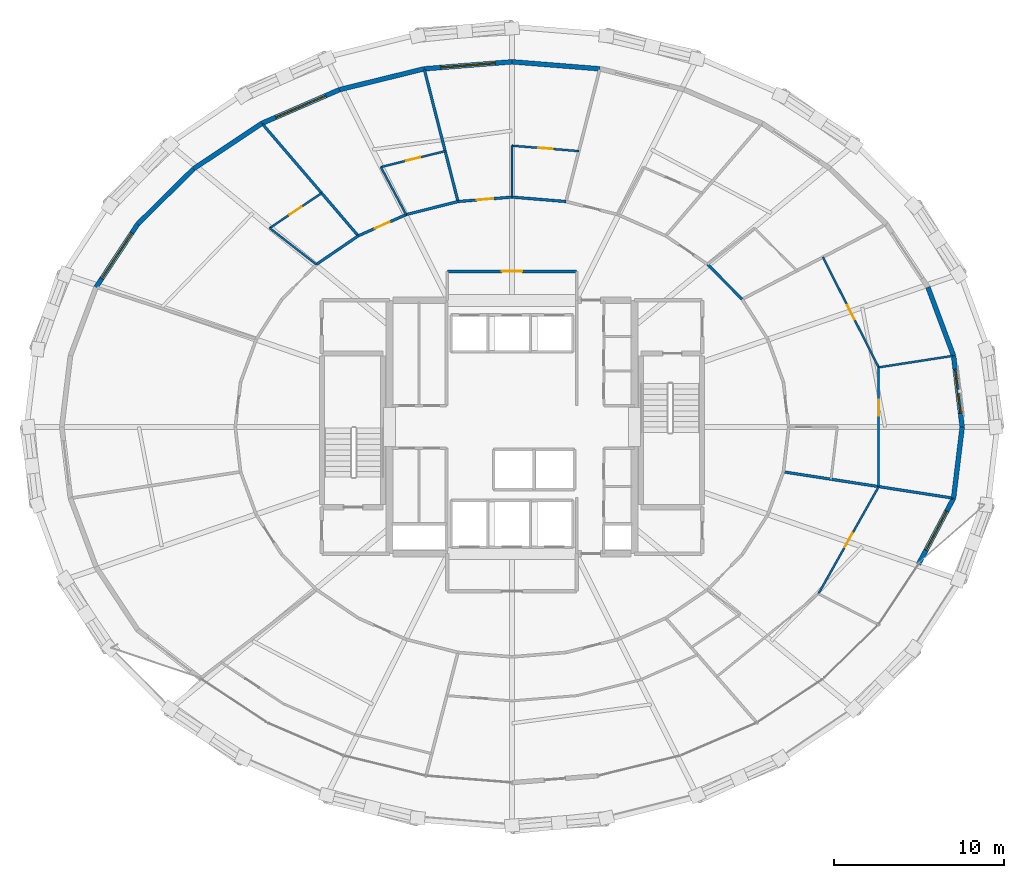
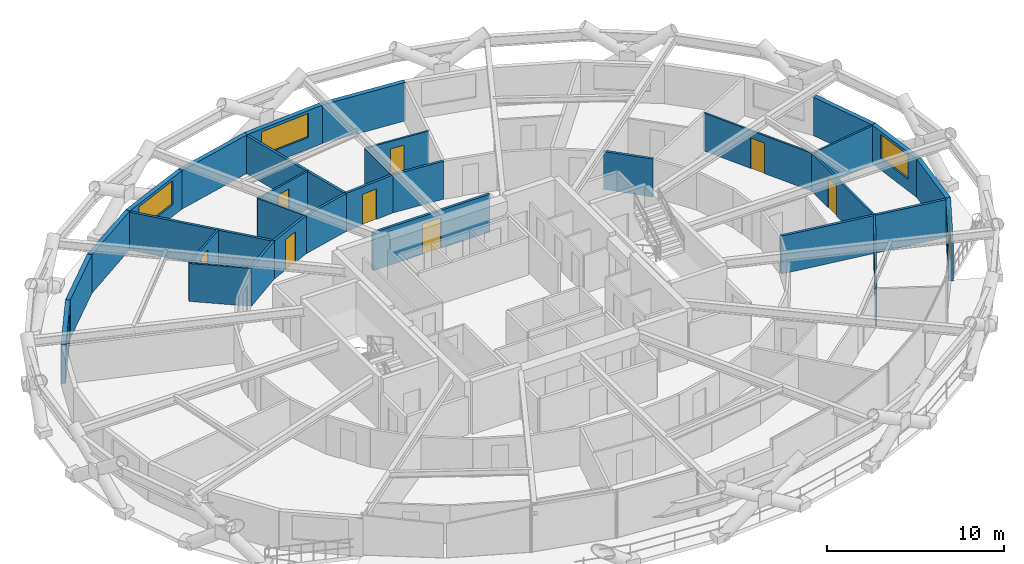
# One storey, part 16 of 19: 31 walls, 9 doors, 5 windows, 14 openings.
"""IFC4 building model written with IfcOpenShell, lengths in metres."""

from ifc_helpers import new_model, si_unit, direction, frame, frame_2d, origin, place, context, subcontext, project, spatial, rectangle, extrude, material, layer, layer_set, type_object, element, fill, save


model = new_model("IFC4")

# Units and contexts
model_context = context("Model", 3, precision=1e-05, world=origin(), true_north=direction((0.0, 1.0)))
body_context = subcontext(model_context, "Body", "Model", "MODEL_VIEW")
ifc_project = project(units=[si_unit("LENGTHUNIT", "METRE"), si_unit("AREAUNIT", "SQUARE_METRE"), si_unit("VOLUMEUNIT", "CUBIC_METRE"), si_unit("PLANEANGLEUNIT", "RADIAN"), si_unit("MASSUNIT", "GRAM", prefix="KILO")], contexts=[model_context])

# Site, building, storey
site_placement = place(None, origin())
site = spatial("IfcSite", under=ifc_project, at=site_placement, CompositionType="ELEMENT")
building_placement = place(site_placement, origin())
building = spatial("IfcBuilding", under=site, at=building_placement, Name="Veldorina Hangang Commons", CompositionType="ELEMENT")
storey_placement = place(building_placement, frame((0.0, 0.0, 52.0)))
storey = spatial("IfcBuildingStorey", under=building, at=storey_placement, Name="L12", CompositionType="ELEMENT", Elevation=52.0)

# Wall, opening, window
ifc_material_1 = material(Name="Stone Roman Travertine", Category="masonry")
ifc_layer_1 = layer(ifc_material_1, 0.280029296875)
ifc_layer_set_1 = layer_set([ifc_layer_1], Name="Stone Roman Travertine")
wall_type_1 = type_object("IfcWallType", Name="EW-TRAV-280", PredefinedType="STANDARD", material=ifc_layer_set_1)
wall_1_placement = place(storey_placement, frame((58.47509765625, 24.0, 0.0), z_axis=(0.0, 0.0, 1.0), x_axis=(-0.120495484084, 0.992713875352, 0.0)))
wall_1 = element("IfcWall", 1, at=wall_1_placement, inside=storey, type_object=wall_type_1, Name="L12 travertine facade wall 00", PredefinedType="STANDARD", context=body_context, shape_type="SweptSolid", body=[
    extrude(rectangle(XDim=4.220458984375, YDim=0.280029296875, at=frame_2d((2.1103515625, 0.0))), origin(), (0.0, 0.0, 1.0), 2.64990234375),
])
opening_1_placement = place(wall_1_placement, frame((0.810302734375, 0.0, 0.800048828125)))
opening_1 = element("IfcOpeningElement", 2, at=opening_1_placement, cuts=wall_1, Name="Opening W-02", PredefinedType="OPENING", context=body_context, shape_type="SweptSolid", body=[
    extrude(rectangle(XDim=2.60009765625, YDim=1.64990234375, at=frame_2d((1.300048828125, 0.824951171875))), frame((0.0, 0.14990234375, 0.0), z_axis=(0.0, -1.0, 0.0), x_axis=(1.0, 0.0, 0.0)), (0.0, 0.0, 1.0), 0.300048828125),
])
ifc_material_2 = material(Name="Glass Low-E Triple IGU", Category="glass")
window_type_1 = type_object("IfcWindowType", Name="WIN-TWR-2600", PartitioningType="SINGLE_PANEL", PredefinedType="WINDOW", material=ifc_material_2)
window_1_placement = place(opening_1_placement, origin())
window_1 = element("IfcWindow", 3, at=window_1_placement, inside=storey, type_object=window_type_1, Name="L12 facade window 00", OverallHeight=1.64990234375, OverallWidth=2.60009765625, PartitioningType="SINGLE_PANEL", PredefinedType="WINDOW", context=body_context, shape_type="SweptSolid", body=[
    extrude(rectangle(XDim=2.60009765625, YDim=1.64990234375, at=frame_2d((1.300048828125, 0.824951171875))), frame((0.0, 0.030029296875, 0.0), z_axis=(0.0, -1.0, 0.0), x_axis=(1.0, 0.0, 0.0)), (0.0, 0.0, 1.0), 0.06005859375),
])
fill(opening_1, window_1)

# Walls
wall_2_placement = place(storey_placement, frame((57.966552734375, 28.189697265625, 0.0), z_axis=(0.0, 0.0, 1.0), x_axis=(-0.350283521278, 0.936643718135, 0.0)))
element("IfcWall", 4, at=wall_2_placement, inside=storey, type_object=wall_type_1, Name="L12 travertine facade wall 01", PredefinedType="STANDARD", context=body_context, shape_type="SweptSolid", body=[
    extrude(rectangle(XDim=4.301025390625, YDim=0.280029296875, at=frame_2d((2.150390625, 0.0))), origin(), (0.0, 0.0, 1.0), 2.64990234375),
])
wall_3_placement = place(storey_placement, frame((37.1650390625, 45.0625, 0.0), z_axis=(0.0, 0.0, 1.0), x_axis=(-0.996824560501, 0.079629112651, 0.0)))
element("IfcWall", 5, at=wall_3_placement, inside=storey, type_object=wall_type_1, Name="L12 travertine facade wall 07", PredefinedType="STANDARD", context=body_context, shape_type="SweptSolid", body=[
    extrude(rectangle(XDim=5.181396484375, YDim=0.280029296875, at=frame_2d((2.5908203125, 0.0))), origin(), (0.0, 0.0, 1.0), 2.64990234375),
])

# Wall, opening, window
wall_4_placement = place(storey_placement, frame((32.0, 45.47509765625, 0.0), z_axis=(0.0, 0.0, 1.0), x_axis=(-0.996824560501, -0.079629112651, 0.0)))
wall_4 = element("IfcWall", 6, at=wall_4_placement, inside=storey, type_object=wall_type_1, Name="L12 travertine facade wall 08", PredefinedType="STANDARD", context=body_context, shape_type="SweptSolid", body=[
    extrude(rectangle(XDim=5.181396484375, YDim=0.280029296875, at=frame_2d((2.5908203125, 0.0))), origin(), (0.0, 0.0, 1.0), 2.64990234375),
])
opening_2_placement = place(wall_4_placement, frame((0.99072265625, 0.0, 0.800048828125)))
opening_2 = element("IfcOpeningElement", 7, at=opening_2_placement, cuts=wall_4, Name="Opening W-01", PredefinedType="OPENING", context=body_context, shape_type="SweptSolid", body=[
    extrude(rectangle(XDim=3.199951171875, YDim=1.64990234375, at=frame_2d((1.60009765625, 0.824951171875))), frame((0.0, 0.14990234375, 0.0), z_axis=(0.0, -1.0, 0.0), x_axis=(1.0, 0.0, 0.0)), (0.0, 0.0, 1.0), 0.300048828125),
])
window_type_2 = type_object("IfcWindowType", Name="WIN-TWR-3200", PartitioningType="SINGLE_PANEL", PredefinedType="WINDOW", material=ifc_material_2)
window_2_placement = place(opening_2_placement, origin())
window_2 = element("IfcWindow", 8, at=window_2_placement, inside=storey, type_object=window_type_2, Name="L12 facade window 08", OverallHeight=1.64990234375, OverallWidth=3.199951171875, PartitioningType="SINGLE_PANEL", PredefinedType="WINDOW", context=body_context, shape_type="SweptSolid", body=[
    extrude(rectangle(XDim=3.199951171875, YDim=1.64990234375, at=frame_2d((1.60009765625, 0.824951171875))), frame((0.0, 0.030029296875, 0.0), z_axis=(0.0, -1.0, 0.0), x_axis=(1.0, 0.0, 0.0)), (0.0, 0.0, 1.0), 0.06005859375),
])
fill(opening_2, window_2)

# Wall
wall_5_placement = place(storey_placement, frame((26.8349609375, 45.0625, 0.0), z_axis=(0.0, 0.0, 1.0), x_axis=(-0.971042653892, -0.238906183096, 0.0)))
element("IfcWall", 9, at=wall_5_placement, inside=storey, type_object=wall_type_1, Name="L12 travertine facade wall 09", PredefinedType="STANDARD", context=body_context, shape_type="SweptSolid", body=[
    extrude(rectangle(XDim=5.11474609375, YDim=0.280029296875, at=frame_2d((2.557373046875, 0.0))), origin(), (0.0, 0.0, 1.0), 2.64990234375),
])

# Wall, opening, window
wall_6_placement = place(storey_placement, frame((21.868408203125, 43.840576171875, 0.0), z_axis=(0.0, 0.0, 1.0), x_axis=(-0.917468716398, -0.397807936612, 0.0)))
wall_6 = element("IfcWall", 10, at=wall_6_placement, inside=storey, type_object=wall_type_1, Name="L12 travertine facade wall 10", PredefinedType="STANDARD", context=body_context, shape_type="SweptSolid", body=[
    extrude(rectangle(XDim=4.98876953125, YDim=0.280029296875, at=frame_2d((2.494384765625, 0.0))), origin(), (0.0, 0.0, 1.0), 2.64990234375),
])
opening_3_placement = place(wall_6_placement, frame((0.894287109375, 0.0, 0.800048828125)))
opening_3 = element("IfcOpeningElement", 11, at=opening_3_placement, cuts=wall_6, Name="Opening W-01", PredefinedType="OPENING", context=body_context, shape_type="SweptSolid", body=[
    extrude(rectangle(XDim=3.199951171875, YDim=1.64990234375, at=frame_2d((1.60009765625, 0.824951171875))), frame((0.0, 0.14990234375, 0.0), z_axis=(0.0, -1.0, 0.0), x_axis=(1.0, 0.0, 0.0)), (0.0, 0.0, 1.0), 0.300048828125),
])
window_3_placement = place(opening_3_placement, origin())
window_3 = element("IfcWindow", 12, at=window_3_placement, inside=storey, type_object=window_type_2, Name="L12 facade window 10", OverallHeight=1.64990234375, OverallWidth=3.199951171875, PartitioningType="SINGLE_PANEL", PredefinedType="WINDOW", context=body_context, shape_type="SweptSolid", body=[
    extrude(rectangle(XDim=3.199951171875, YDim=1.64990234375, at=frame_2d((1.60009765625, 0.824951171875))), frame((0.0, 0.030029296875, 0.0), z_axis=(0.0, -1.0, 0.0), x_axis=(1.0, 0.0, 0.0)), (0.0, 0.0, 1.0), 0.06005859375),
])
fill(opening_3, window_3)

# Walls
wall_7_placement = place(storey_placement, frame((17.291259765625, 41.85595703125, 0.0), z_axis=(0.0, 0.0, 1.0), x_axis=(-0.832431966359, -0.554127261, 0.0)))
element("IfcWall", 13, at=wall_7_placement, inside=storey, type_object=wall_type_1, Name="L12 travertine facade wall 11", PredefinedType="STANDARD", context=body_context, shape_type="SweptSolid", body=[
    extrude(rectangle(XDim=4.819580078125, YDim=0.280029296875, at=frame_2d((2.40966796875, 0.0))), origin(), (0.0, 0.0, 1.0), 2.64990234375),
])
wall_8_placement = place(storey_placement, frame((13.279296875, 39.185302734375, 0.0), z_axis=(0.0, 0.0, 1.0), x_axis=(-0.711208285642, -0.702981347146, 0.0)))
element("IfcWall", 14, at=wall_8_placement, inside=storey, type_object=wall_type_1, Name="L12 travertine facade wall 12", PredefinedType="STANDARD", context=body_context, shape_type="SweptSolid", body=[
    extrude(rectangle(XDim=4.62939453125, YDim=0.280029296875, at=frame_2d((2.314697265625, 0.0))), origin(), (0.0, 0.0, 1.0), 2.64990234375),
])

# Wall, opening, window
wall_9_placement = place(storey_placement, frame((9.98681640625, 35.930908203125, 0.0), z_axis=(0.0, 0.0, 1.0), x_axis=(-0.550282912527, -0.834978272879, 0.0)))
wall_9 = element("IfcWall", 15, at=wall_9_placement, inside=storey, type_object=wall_type_1, Name="L12 travertine facade wall 13", PredefinedType="STANDARD", context=body_context, shape_type="SweptSolid", body=[
    extrude(rectangle(XDim=4.4462890625, YDim=0.280029296875, at=frame_2d((2.22314453125, 0.0))), origin(), (0.0, 0.0, 1.0), 2.64990234375),
])
opening_4_placement = place(wall_9_placement, frame((0.623291015625, 0.0, 0.800048828125)))
opening_4 = element("IfcOpeningElement", 16, at=opening_4_placement, cuts=wall_9, Name="Opening W-01", PredefinedType="OPENING", context=body_context, shape_type="SweptSolid", body=[
    extrude(rectangle(XDim=3.199951171875, YDim=1.64990234375, at=frame_2d((1.60009765625, 0.824951171875))), frame((0.0, 0.14990234375, 0.0), z_axis=(0.0, -1.0, 0.0), x_axis=(1.0, 0.0, 0.0)), (0.0, 0.0, 1.0), 0.300048828125),
])
window_4_placement = place(opening_4_placement, origin())
window_4 = element("IfcWindow", 17, at=window_4_placement, inside=storey, type_object=window_type_2, Name="L12 facade window 13", OverallHeight=1.64990234375, OverallWidth=3.199951171875, PartitioningType="SINGLE_PANEL", PredefinedType="WINDOW", context=body_context, shape_type="SweptSolid", body=[
    extrude(rectangle(XDim=3.199951171875, YDim=1.64990234375, at=frame_2d((1.60009765625, 0.824951171875))), frame((0.0, 0.030029296875, 0.0), z_axis=(0.0, -1.0, 0.0), x_axis=(1.0, 0.0, 0.0)), (0.0, 0.0, 1.0), 0.06005859375),
])
fill(opening_4, window_4)

wall_10_placement = place(storey_placement, frame((55.8994140625, 15.914794921875, 0.0), z_axis=(0.0, 0.0, 1.0), x_axis=(0.46873960988, 0.883336390131, 0.0)))
wall_10 = element("IfcWall", 18, at=wall_10_placement, inside=storey, type_object=wall_type_1, Name="L12 travertine facade wall 30", PredefinedType="STANDARD", context=body_context, shape_type="SweptSolid", body=[
    extrude(rectangle(XDim=4.409912109375, YDim=0.280029296875, at=frame_2d((2.205078125, 0.0))), origin(), (0.0, 0.0, 1.0), 2.64990234375),
])
opening_5_placement = place(wall_10_placement, frame((0.950927734375, 0.0, 0.800048828125)))
opening_5 = element("IfcOpeningElement", 19, at=opening_5_placement, cuts=wall_10, Name="Opening W-02", PredefinedType="OPENING", context=body_context, shape_type="SweptSolid", body=[
    extrude(rectangle(XDim=2.60009765625, YDim=1.64990234375, at=frame_2d((1.300048828125, 0.824951171875))), frame((0.0, 0.14990234375, 0.0), z_axis=(0.0, -1.0, 0.0), x_axis=(1.0, 0.0, 0.0)), (0.0, 0.0, 1.0), 0.300048828125),
])
window_5_placement = place(opening_5_placement, origin())
window_5 = element("IfcWindow", 20, at=window_5_placement, inside=storey, type_object=window_type_1, Name="L12 facade window 30", OverallHeight=1.64990234375, OverallWidth=2.60009765625, PartitioningType="SINGLE_PANEL", PredefinedType="WINDOW", context=body_context, shape_type="SweptSolid", body=[
    extrude(rectangle(XDim=2.60009765625, YDim=1.64990234375, at=frame_2d((1.300048828125, 0.824951171875))), frame((0.0, 0.030029296875, 0.0), z_axis=(0.0, -1.0, 0.0), x_axis=(1.0, 0.0, 0.0)), (0.0, 0.0, 1.0), 0.06005859375),
])
fill(opening_5, window_5)

# Wall
wall_11_placement = place(storey_placement, frame((57.966552734375, 19.810302734375, 0.0), z_axis=(0.0, 0.0, 1.0), x_axis=(0.120495484084, 0.992713875352, 0.0)))
element("IfcWall", 21, at=wall_11_placement, inside=storey, type_object=wall_type_1, Name="L12 travertine facade wall 31", PredefinedType="STANDARD", context=body_context, shape_type="SweptSolid", body=[
    extrude(rectangle(XDim=4.220458984375, YDim=0.280029296875, at=frame_2d((2.1103515625, 0.0))), origin(), (0.0, 0.0, 1.0), 2.64990234375),
])

# Wall, opening, door
ifc_material_3 = material(Name="Gypsum Fire-Rated Twin Stud Wall", Category="gypsum")
ifc_layer_2 = layer(ifc_material_3, 0.159912109375)
ifc_layer_set_2 = layer_set([ifc_layer_2], Name="Gypsum Fire-Rated Twin Stud Wall")
wall_type_2 = type_object("IfcWallType", Name="WL-FIRE-160", PredefinedType="SOLIDWALL", material=ifc_layer_set_2)
wall_12_placement = place(storey_placement, frame((28.199951171875, 33.14990234375, 0.0), z_axis=(0.0, 0.0, 1.0), x_axis=(1.0, 0.0, 0.0)))
wall_12 = element("IfcWall", 22, at=wall_12_placement, inside=storey, type_object=wall_type_2, Name="L12 North lobby north wall 034", PredefinedType="SOLIDWALL", context=body_context, shape_type="SweptSolid", body=[
    extrude(rectangle(XDim=7.60009765625, YDim=0.159912109375, at=frame_2d((3.800048828125, 0.0))), origin(), (0.0, 0.0, 1.0), 2.610107421875),
])
opening_6_placement = place(wall_12_placement, frame((3.199951171875, 0.0, 0.0)))
opening_6 = element("IfcOpeningElement", 23, at=opening_6_placement, cuts=wall_12, Name="Opening D-09", PredefinedType="OPENING", context=body_context, shape_type="SweptSolid", body=[
    extrude(rectangle(XDim=1.199951171875, YDim=2.10009765625, at=frame_2d((0.60009765625, 1.050048828125))), frame((0.0, 0.08984375, 0.0), z_axis=(0.0, -1.0, 0.0), x_axis=(1.0, 0.0, 0.0)), (0.0, 0.0, 1.0), 0.179931640625),
])
ifc_material_4 = material(Name="Steel Fire-Rated Corridor Door", Category="steel")
door_type_1 = type_object("IfcDoorType", Name="DR-FIRE-1200", OperationType="SINGLE_SWING_LEFT", PredefinedType="DOOR", material=ifc_material_4)
door_1_placement = place(opening_6_placement, origin())
door_1 = element("IfcDoor", 24, at=door_1_placement, inside=storey, type_object=door_type_1, Name="L12 North lift lobby corridor door 012", OperationType="SINGLE_SWING_RIGHT", OverallHeight=2.10009765625, OverallWidth=1.199951171875, PredefinedType="DOOR", context=body_context, shape_type="SweptSolid", body=[
    extrude(rectangle(XDim=1.199951171875, YDim=2.10009765625, at=frame_2d((0.60009765625, 1.050048828125))), frame((0.0, 0.02490234375, 0.0), z_axis=(0.0, -1.0, 0.0), x_axis=(1.0, 0.0, 0.0)), (0.0, 0.0, 1.0), 0.050048828125),
])
fill(opening_6, door_1)

# Walls
wall_13_placement = place(storey_placement, frame((45.53125, 31.51025390625, 0.0), z_axis=(0.0, 0.0, 1.0), x_axis=(-0.702811997, 0.711375636969, 0.0)))
element("IfcWall", 25, at=wall_13_placement, inside=storey, type_object=wall_type_2, Name="L12 Corridor outer wall 03 053", PredefinedType="SOLIDWALL", context=body_context, shape_type="SweptSolid", body=[
    extrude(rectangle(XDim=2.87939453125, YDim=0.159912109375, at=frame_2d((1.439697265625, 0.0))), origin(), (0.0, 0.0, 1.0), 2.610107421875),
])
wall_14_placement = place(storey_placement, frame((35.1748046875, 37.25830078125, 0.0), z_axis=(0.0, 0.0, 1.0), x_axis=(-0.996669377538, 0.081548463373, 0.0)))
element("IfcWall", 26, at=wall_14_placement, inside=storey, type_object=wall_type_2, Name="L12 Corridor outer wall 07 057", PredefinedType="SOLIDWALL", context=body_context, shape_type="SweptSolid", body=[
    extrude(rectangle(XDim=3.185302734375, YDim=0.159912109375, at=frame_2d((1.5927734375, 0.0))), origin(), (0.0, 0.0, 1.0), 2.610107421875),
])

# Wall, opening, door
wall_15_placement = place(storey_placement, frame((32.0, 37.51806640625, 0.0), z_axis=(0.0, 0.0, 1.0), x_axis=(-0.996669377538, -0.081548463373, 0.0)))
wall_15 = element("IfcWall", 27, at=wall_15_placement, inside=storey, type_object=wall_type_2, Name="L12 Corridor outer wall 08 058", PredefinedType="SOLIDWALL", context=body_context, shape_type="SweptSolid", body=[
    extrude(rectangle(XDim=3.185302734375, YDim=0.159912109375, at=frame_2d((1.5927734375, 0.0))), origin(), (0.0, 0.0, 1.0), 2.610107421875),
])
opening_7_placement = place(wall_15_placement, frame((1.117919921875, 0.0, 0.0)))
opening_7 = element("IfcOpeningElement", 28, at=opening_7_placement, cuts=wall_15, Name="Opening D-03", PredefinedType="OPENING", context=body_context, shape_type="SweptSolid", body=[
    extrude(rectangle(XDim=0.949951171875, YDim=2.10009765625, at=frame_2d((0.47509765625, 1.050048828125))), frame((0.0, 0.08984375, 0.0), z_axis=(0.0, -1.0, 0.0), x_axis=(1.0, 0.0, 0.0)), (0.0, 0.0, 1.0), 0.179931640625),
])
ifc_material_5 = material(Name="Timber Fire-Rated Entrance Core", Category="wood")
door_type_2 = type_object("IfcDoorType", Name="DR-UNIT-950", OperationType="SINGLE_SWING_RIGHT", PredefinedType="DOOR", material=ifc_material_5)
door_2_placement = place(opening_7_placement, origin())
door_2 = element("IfcDoor", 29, at=door_2_placement, inside=storey, type_object=door_type_2, Name="L12 Studio 6 entrance door 037", OperationType="SINGLE_SWING_LEFT", OverallHeight=2.10009765625, OverallWidth=0.949951171875, PredefinedType="DOOR", context=body_context, shape_type="SweptSolid", body=[
    extrude(rectangle(XDim=0.949951171875, YDim=2.10009765625, at=frame_2d((0.47509765625, 1.050048828125))), frame((0.0, 0.02490234375, 0.0), z_axis=(0.0, -1.0, 0.0), x_axis=(1.0, 0.0, 0.0)), (0.0, 0.0, 1.0), 0.050048828125),
])
fill(opening_7, door_2)

# Wall
wall_16_placement = place(storey_placement, frame((28.8251953125, 37.25830078125, 0.0), z_axis=(0.0, 0.0, 1.0), x_axis=(-0.969689238064, -0.244341526521, 0.0)))
element("IfcWall", 30, at=wall_16_placement, inside=storey, type_object=wall_type_2, Name="L12 Corridor outer wall 09 059", PredefinedType="SOLIDWALL", context=body_context, shape_type="SweptSolid", body=[
    extrude(rectangle(XDim=3.1484375, YDim=0.159912109375, at=frame_2d((1.57421875, 0.0))), origin(), (0.0, 0.0, 1.0), 2.610107421875),
])

# Wall, opening, door
wall_17_placement = place(storey_placement, frame((25.772216796875, 36.489013671875, 0.0), z_axis=(0.0, 0.0, 1.0), x_axis=(-0.913952123493, -0.405822024984, 0.0)))
wall_17 = element("IfcWall", 31, at=wall_17_placement, inside=storey, type_object=wall_type_2, Name="L12 Corridor outer wall 10 060", PredefinedType="SOLIDWALL", context=body_context, shape_type="SweptSolid", body=[
    extrude(rectangle(XDim=3.078369140625, YDim=0.159912109375, at=frame_2d((1.5390625, 0.0))), origin(), (0.0, 0.0, 1.0), 2.610107421875),
])
opening_8_placement = place(wall_17_placement, frame((1.064208984375, 0.0, 0.0)))
opening_8 = element("IfcOpeningElement", 32, at=opening_8_placement, cuts=wall_17, Name="Opening D-03", PredefinedType="OPENING", context=body_context, shape_type="SweptSolid", body=[
    extrude(rectangle(XDim=0.949951171875, YDim=2.10009765625, at=frame_2d((0.47509765625, 1.050048828125))), frame((0.0, 0.08984375, 0.0), z_axis=(0.0, -1.0, 0.0), x_axis=(1.0, 0.0, 0.0)), (0.0, 0.0, 1.0), 0.179931640625),
])
door_3_placement = place(opening_8_placement, origin())
door_3 = element("IfcDoor", 33, at=door_3_placement, inside=storey, type_object=door_type_2, Name="L12 Studio 7 entrance door 039", OperationType="SINGLE_SWING_LEFT", OverallHeight=2.10009765625, OverallWidth=0.949951171875, PredefinedType="DOOR", context=body_context, shape_type="SweptSolid", body=[
    extrude(rectangle(XDim=0.949951171875, YDim=2.10009765625, at=frame_2d((0.47509765625, 1.050048828125))), frame((0.0, 0.02490234375, 0.0), z_axis=(0.0, -1.0, 0.0), x_axis=(1.0, 0.0, 0.0)), (0.0, 0.0, 1.0), 0.050048828125),
])
fill(opening_8, door_3)

# Walls
wall_18_placement = place(storey_placement, frame((22.958740234375, 35.23974609375, 0.0), z_axis=(0.0, 0.0, 1.0), x_axis=(-0.826293096206, -0.56324037423, 0.0)))
element("IfcWall", 34, at=wall_18_placement, inside=storey, type_object=wall_type_2, Name="L12 Corridor outer wall 11 061", PredefinedType="SOLIDWALL", context=body_context, shape_type="SweptSolid", body=[
    extrude(rectangle(XDim=2.98486328125, YDim=0.159912109375, at=frame_2d((1.492431640625, 0.0))), origin(), (0.0, 0.0, 1.0), 2.610107421875),
])
wall_19_placement = place(storey_placement, frame((47.961181640625, 21.36279296875, 0.0), z_axis=(0.0, 0.0, 1.0), x_axis=(0.988176752001, -0.153318970792, 0.0)))
element("IfcWall", 35, at=wall_19_placement, inside=storey, type_object=wall_type_2, Name="L12 Unit party wall 31 093", PredefinedType="SOLIDWALL", context=body_context, shape_type="SweptSolid", body=[
    extrude(rectangle(XDim=10.074951171875, YDim=0.159912109375, at=frame_2d((5.03759765625, 0.0))), origin(), (0.0, 0.0, 1.0), 2.610107421875),
])
wall_20_placement = place(storey_placement, frame((28.8251953125, 37.25830078125, 0.0), z_axis=(0.0, 0.0, 1.0), x_axis=(-0.247097489617, 0.968990624632, 0.0)))
element("IfcWall", 36, at=wall_20_placement, inside=storey, type_object=wall_type_2, Name="L12 Unit party wall 09 108", PredefinedType="SOLIDWALL", context=body_context, shape_type="SweptSolid", body=[
    extrude(rectangle(XDim=8.004150390625, YDim=0.159912109375, at=frame_2d((4.001953125, 0.0))), origin(), (0.0, 0.0, 1.0), 2.610107421875),
])
wall_21_placement = place(storey_placement, frame((22.958740234375, 35.23974609375, 0.0), z_axis=(0.0, 0.0, 1.0), x_axis=(-0.650552260828, 0.75946149075, 0.0)))
element("IfcWall", 37, at=wall_21_placement, inside=storey, type_object=wall_type_2, Name="L12 Unit party wall 11 111", PredefinedType="SOLIDWALL", context=body_context, shape_type="SweptSolid", body=[
    extrude(rectangle(XDim=8.661865234375, YDim=0.159912109375, at=frame_2d((4.3310546875, 0.0))), origin(), (0.0, 0.0, 1.0), 2.610107421875),
])

# Wall, opening, door
ifc_material_6 = material(Name="Gypsum Acoustic Stud Partition", Category="gypsum")
ifc_layer_3 = layer(ifc_material_6, 0.1201171875)
ifc_layer_set_3 = layer_set([ifc_layer_3], Name="Gypsum Acoustic Stud Partition")
wall_type_3 = type_object("IfcWallType", Name="WL-PART-120", PredefinedType="PARTITIONING", material=ifc_layer_set_3)
wall_22_placement = place(storey_placement, frame((50.0205078125, 14.1884765625, 0.0), z_axis=(0.0, 0.0, 1.0), x_axis=(0.489964721586, 0.87174226214, 0.0)))
wall_22 = element("IfcWall", 38, at=wall_22_placement, inside=storey, type_object=wall_type_3, Name="L12 Cluster 2 bed 2 front wall 091", PredefinedType="PARTITIONING", context=body_context, shape_type="SweptSolid", body=[
    extrude(rectangle(XDim=7.232666015625, YDim=0.1201171875, at=frame_2d((3.6162109375, 0.0))), origin(), (0.0, 0.0, 1.0), 2.610107421875),
])
opening_9_placement = place(wall_22_placement, frame((3.141357421875, 0.0, 0.0)))
opening_9 = element("IfcOpeningElement", 39, at=opening_9_placement, cuts=wall_22, Name="Opening D-02", PredefinedType="OPENING", context=body_context, shape_type="SweptSolid", body=[
    extrude(rectangle(XDim=0.949951171875, YDim=2.10009765625, at=frame_2d((0.47509765625, 1.050048828125))), frame((0.0, 0.070068359375, 0.0), z_axis=(0.0, -1.0, 0.0), x_axis=(1.0, 0.0, 0.0)), (0.0, 0.0, 1.0), 0.14013671875),
])
ifc_material_7 = material(Name="Timber Solid Core Acoustic", Category="wood")
door_type_3 = type_object("IfcDoorType", Name="DR-INT-950", OperationType="SINGLE_SWING_LEFT", PredefinedType="DOOR", material=ifc_material_7)
door_4_placement = place(opening_9_placement, origin())
door_4 = element("IfcDoor", 40, at=door_4_placement, inside=storey, type_object=door_type_3, Name="L12 Cluster 2 bed 2 door 027", OperationType="SINGLE_SWING_LEFT", OverallHeight=2.10009765625, OverallWidth=0.949951171875, PredefinedType="DOOR", context=body_context, shape_type="SweptSolid", body=[
    extrude(rectangle(XDim=0.949951171875, YDim=2.10009765625, at=frame_2d((0.47509765625, 1.050048828125))), frame((0.0, 0.02490234375, 0.0), z_axis=(0.0, -1.0, 0.0), x_axis=(1.0, 0.0, 0.0)), (0.0, 0.0, 1.0), 0.050048828125),
])
fill(opening_9, door_4)

wall_23_placement = place(storey_placement, frame((53.564208984375, 20.493408203125, 0.0), z_axis=(0.0, 0.0, 1.0), x_axis=(0.0, 1.0, 0.0)))
wall_23 = element("IfcWall", 41, at=wall_23_placement, inside=storey, type_object=wall_type_3, Name="L12 Cluster 3 bed 1 front wall 096", PredefinedType="PARTITIONING", context=body_context, shape_type="SweptSolid", body=[
    extrude(rectangle(XDim=7.01318359375, YDim=0.1201171875, at=frame_2d((3.506591796875, 0.0))), origin(), (0.0, 0.0, 1.0), 2.610107421875),
])
opening_10_placement = place(wall_23_placement, frame((4.171875, 0.0, 0.0)))
opening_10 = element("IfcOpeningElement", 42, at=opening_10_placement, cuts=wall_23, Name="Opening D-02", PredefinedType="OPENING", context=body_context, shape_type="SweptSolid", body=[
    extrude(rectangle(XDim=0.949951171875, YDim=2.10009765625, at=frame_2d((0.47509765625, 1.050048828125))), frame((0.0, 0.070068359375, 0.0), z_axis=(0.0, -1.0, 0.0), x_axis=(1.0, 0.0, 0.0)), (0.0, 0.0, 1.0), 0.14013671875),
])
door_5_placement = place(opening_10_placement, origin())
door_5 = element("IfcDoor", 43, at=door_5_placement, inside=storey, type_object=door_type_3, Name="L12 Cluster 3 bed 1 door 030", OperationType="SINGLE_SWING_RIGHT", OverallHeight=2.10009765625, OverallWidth=0.949951171875, PredefinedType="DOOR", context=body_context, shape_type="SweptSolid", body=[
    extrude(rectangle(XDim=0.949951171875, YDim=2.10009765625, at=frame_2d((0.47509765625, 1.050048828125))), frame((0.0, 0.02490234375, 0.0), z_axis=(0.0, -1.0, 0.0), x_axis=(1.0, 0.0, 0.0)), (0.0, 0.0, 1.0), 0.050048828125),
])
fill(opening_10, door_5)

wall_24_placement = place(storey_placement, frame((53.564208984375, 27.506591796875, 0.0), z_axis=(0.0, 0.0, 1.0), x_axis=(-0.451980127483, 0.892028006489, 0.0)))
wall_24 = element("IfcWall", 44, at=wall_24_placement, inside=storey, type_object=wall_type_3, Name="L12 Cluster 3 bed 2 front wall 097", PredefinedType="PARTITIONING", context=body_context, shape_type="SweptSolid", body=[
    extrude(rectangle(XDim=7.263427734375, YDim=0.1201171875, at=frame_2d((3.6318359375, 0.0))), origin(), (0.0, 0.0, 1.0), 2.610107421875),
])
opening_11_placement = place(wall_24_placement, frame((3.15673828125, 0.0, 0.0)))
opening_11 = element("IfcOpeningElement", 45, at=opening_11_placement, cuts=wall_24, Name="Opening D-02", PredefinedType="OPENING", context=body_context, shape_type="SweptSolid", body=[
    extrude(rectangle(XDim=0.949951171875, YDim=2.10009765625, at=frame_2d((0.47509765625, 1.050048828125))), frame((0.0, 0.070068359375, 0.0), z_axis=(0.0, -1.0, 0.0), x_axis=(1.0, 0.0, 0.0)), (0.0, 0.0, 1.0), 0.14013671875),
])
door_6_placement = place(opening_11_placement, origin())
door_6 = element("IfcDoor", 46, at=door_6_placement, inside=storey, type_object=door_type_3, Name="L12 Cluster 3 bed 2 door 031", OperationType="SINGLE_SWING_LEFT", OverallHeight=2.10009765625, OverallWidth=0.949951171875, PredefinedType="DOOR", context=body_context, shape_type="SweptSolid", body=[
    extrude(rectangle(XDim=0.949951171875, YDim=2.10009765625, at=frame_2d((0.47509765625, 1.050048828125))), frame((0.0, 0.02490234375, 0.0), z_axis=(0.0, -1.0, 0.0), x_axis=(1.0, 0.0, 0.0)), (0.0, 0.0, 1.0), 0.050048828125),
])
fill(opening_11, door_6)

# Wall
wall_25_placement = place(storey_placement, frame((53.564208984375, 27.506591796875, 0.0), z_axis=(0.0, 0.0, 1.0), x_axis=(0.988178681205, 0.153306536105, 0.0)))
element("IfcWall", 47, at=wall_25_placement, inside=storey, type_object=wall_type_3, Name="L12 Cluster 3 bed divider 1 098", PredefinedType="PARTITIONING", context=body_context, shape_type="SweptSolid", body=[
    extrude(rectangle(XDim=4.40478515625, YDim=0.1201171875, at=frame_2d((2.202392578125, 0.0))), origin(), (0.0, 0.0, 1.0), 2.610107421875),
])

# Wall, opening, door
wall_26_placement = place(storey_placement, frame((35.93115234375, 40.223876953125, 0.0), z_axis=(0.0, 0.0, 1.0), x_axis=(-0.996746812946, 0.080596469411, 0.0)))
wall_26 = element("IfcWall", 48, at=wall_26_placement, inside=storey, type_object=wall_type_3, Name="L12 Studio 6 bath front wall 106", PredefinedType="PARTITIONING", context=body_context, shape_type="SweptSolid", body=[
    extrude(rectangle(XDim=3.944091796875, YDim=0.1201171875, at=frame_2d((1.97216796875, 0.0))), origin(), (0.0, 0.0, 1.0), 2.610107421875),
])
opening_12_placement = place(wall_26_placement, frame((1.5419921875, 0.0, 0.0)))
opening_12 = element("IfcOpeningElement", 49, at=opening_12_placement, cuts=wall_26, Name="Opening D-01", PredefinedType="OPENING", context=body_context, shape_type="SweptSolid", body=[
    extrude(rectangle(XDim=0.860107421875, YDim=2.10009765625, at=frame_2d((0.43017578125, 1.050048828125))), frame((0.0, 0.070068359375, 0.0), z_axis=(0.0, -1.0, 0.0), x_axis=(1.0, 0.0, 0.0)), (0.0, 0.0, 1.0), 0.14013671875),
])
ifc_material_8 = material(Name="Timber Moisture-Resistant Core", Category="wood")
door_type_4 = type_object("IfcDoorType", Name="DR-WET-860", OperationType="SINGLE_SWING_LEFT", PredefinedType="DOOR", material=ifc_material_8)
door_7_placement = place(opening_12_placement, origin())
door_7 = element("IfcDoor", 50, at=door_7_placement, inside=storey, type_object=door_type_4, Name="L12 Studio 6 bathroom door 036", OperationType="SINGLE_SWING_RIGHT", OverallHeight=2.10009765625, OverallWidth=0.860107421875, PredefinedType="DOOR", context=body_context, shape_type="SweptSolid", body=[
    extrude(rectangle(XDim=0.860107421875, YDim=2.10009765625, at=frame_2d((0.43017578125, 1.050048828125))), frame((0.0, 0.02490234375, 0.0), z_axis=(0.0, -1.0, 0.0), x_axis=(1.0, 0.0, 0.0)), (0.0, 0.0, 1.0), 0.050048828125),
])
fill(opening_12, door_7)

# Wall
wall_27_placement = place(storey_placement, frame((32.0, 37.51806640625, 0.0), z_axis=(0.0, 0.0, 1.0), x_axis=(0.0, 1.0, 0.0)))
element("IfcWall", 51, at=wall_27_placement, inside=storey, type_object=wall_type_3, Name="L12 Studio 6 bath side wall 107", PredefinedType="PARTITIONING", context=body_context, shape_type="SweptSolid", body=[
    extrude(rectangle(XDim=3.023681640625, YDim=0.1201171875, at=frame_2d((1.51171875, 0.0))), origin(), (0.0, 0.0, 1.0), 2.610107421875),
])

# Wall, opening, door
wall_28_placement = place(storey_placement, frame((28.06884765625, 40.223876953125, 0.0), z_axis=(0.0, 0.0, 1.0), x_axis=(-0.970374316044, -0.241606470862, 0.0)))
wall_28 = element("IfcWall", 52, at=wall_28_placement, inside=storey, type_object=wall_type_3, Name="L12 Studio 7 bath front wall 109", PredefinedType="PARTITIONING", context=body_context, shape_type="SweptSolid", body=[
    extrude(rectangle(XDim=3.8955078125, YDim=0.1201171875, at=frame_2d((1.94775390625, 0.0))), origin(), (0.0, 0.0, 1.0), 2.610107421875),
])
opening_13_placement = place(wall_28_placement, frame((1.517578125, 0.0, 0.0)))
opening_13 = element("IfcOpeningElement", 53, at=opening_13_placement, cuts=wall_28, Name="Opening D-01", PredefinedType="OPENING", context=body_context, shape_type="SweptSolid", body=[
    extrude(rectangle(XDim=0.860107421875, YDim=2.10009765625, at=frame_2d((0.43017578125, 1.050048828125))), frame((0.0, 0.070068359375, 0.0), z_axis=(0.0, -1.0, 0.0), x_axis=(1.0, 0.0, 0.0)), (0.0, 0.0, 1.0), 0.14013671875),
])
door_8_placement = place(opening_13_placement, origin())
door_8 = element("IfcDoor", 54, at=door_8_placement, inside=storey, type_object=door_type_4, Name="L12 Studio 7 bathroom door 038", OperationType="SINGLE_SWING_RIGHT", OverallHeight=2.10009765625, OverallWidth=0.860107421875, PredefinedType="DOOR", context=body_context, shape_type="SweptSolid", body=[
    extrude(rectangle(XDim=0.860107421875, YDim=2.10009765625, at=frame_2d((0.43017578125, 1.050048828125))), frame((0.0, 0.02490234375, 0.0), z_axis=(0.0, -1.0, 0.0), x_axis=(1.0, 0.0, 0.0)), (0.0, 0.0, 1.0), 0.050048828125),
])
fill(opening_13, door_8)

# Wall
wall_29_placement = place(storey_placement, frame((25.772216796875, 36.489013671875, 0.0), z_axis=(0.0, 0.0, 1.0), x_axis=(-0.468968986747, 0.883214633863, 0.0)))
element("IfcWall", 55, at=wall_29_placement, inside=storey, type_object=wall_type_3, Name="L12 Studio 7 bath side wall 110", PredefinedType="PARTITIONING", context=body_context, shape_type="SweptSolid", body=[
    extrude(rectangle(XDim=3.1630859375, YDim=0.1201171875, at=frame_2d((1.58154296875, 0.0))), origin(), (0.0, 0.0, 1.0), 2.610107421875),
])

# Wall, opening, door
wall_30_placement = place(storey_placement, frame((20.80517578125, 37.75390625, 0.0), z_axis=(0.0, 0.0, 1.0), x_axis=(-0.829367953904, -0.558702780588, 0.0)))
wall_30 = element("IfcWall", 56, at=wall_30_placement, inside=storey, type_object=wall_type_3, Name="L12 Studio 8 bath front wall 112", PredefinedType="PARTITIONING", context=body_context, shape_type="SweptSolid", body=[
    extrude(rectangle(XDim=3.681884765625, YDim=0.1201171875, at=frame_2d((1.8408203125, 0.0))), origin(), (0.0, 0.0, 1.0), 2.610107421875),
])
opening_14_placement = place(wall_30_placement, frame((1.410888671875, 0.0, 0.0)))
opening_14 = element("IfcOpeningElement", 57, at=opening_14_placement, cuts=wall_30, Name="Opening D-01", PredefinedType="OPENING", context=body_context, shape_type="SweptSolid", body=[
    extrude(rectangle(XDim=0.860107421875, YDim=2.10009765625, at=frame_2d((0.43017578125, 1.050048828125))), frame((0.0, 0.070068359375, 0.0), z_axis=(0.0, -1.0, 0.0), x_axis=(1.0, 0.0, 0.0)), (0.0, 0.0, 1.0), 0.14013671875),
])
door_9_placement = place(opening_14_placement, origin())
door_9 = element("IfcDoor", 58, at=door_9_placement, inside=storey, type_object=door_type_4, Name="L12 Studio 8 bathroom door 040", OperationType="SINGLE_SWING_RIGHT", OverallHeight=2.10009765625, OverallWidth=0.860107421875, PredefinedType="DOOR", context=body_context, shape_type="SweptSolid", body=[
    extrude(rectangle(XDim=0.860107421875, YDim=2.10009765625, at=frame_2d((0.43017578125, 1.050048828125))), frame((0.0, 0.02490234375, 0.0), z_axis=(0.0, -1.0, 0.0), x_axis=(1.0, 0.0, 0.0)), (0.0, 0.0, 1.0), 0.050048828125),
])
fill(opening_14, door_9)

# Wall
wall_31_placement = place(storey_placement, frame((20.492431640625, 33.55859375, 0.0), z_axis=(0.0, 0.0, 1.0), x_axis=(-0.788470290208, 0.615072842401, 0.0)))
element("IfcWall", 59, at=wall_31_placement, inside=storey, type_object=wall_type_3, Name="L12 Studio 8 bath side wall 113", PredefinedType="PARTITIONING", context=body_context, shape_type="SweptSolid", body=[
    extrude(rectangle(XDim=3.476318359375, YDim=0.1201171875, at=frame_2d((1.73828125, 0.0))), origin(), (0.0, 0.0, 1.0), 2.610107421875),
])

save(model, "model.ifc")
